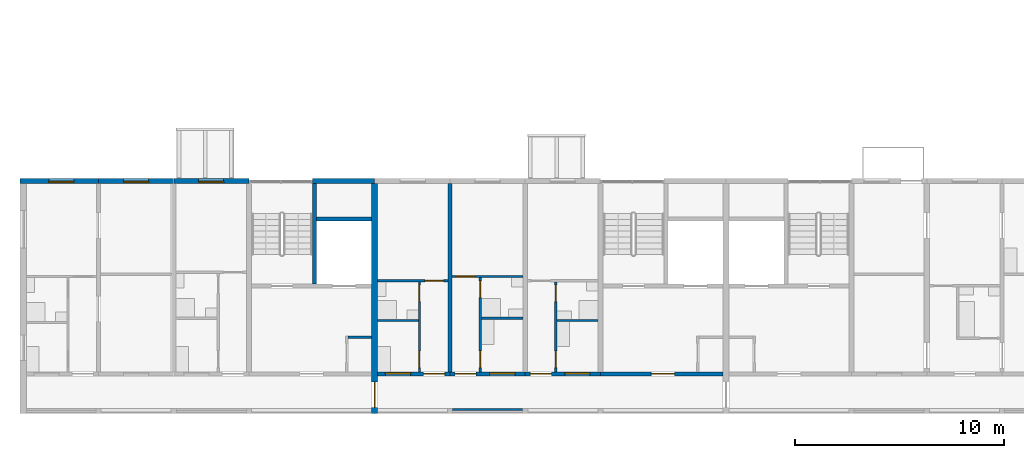
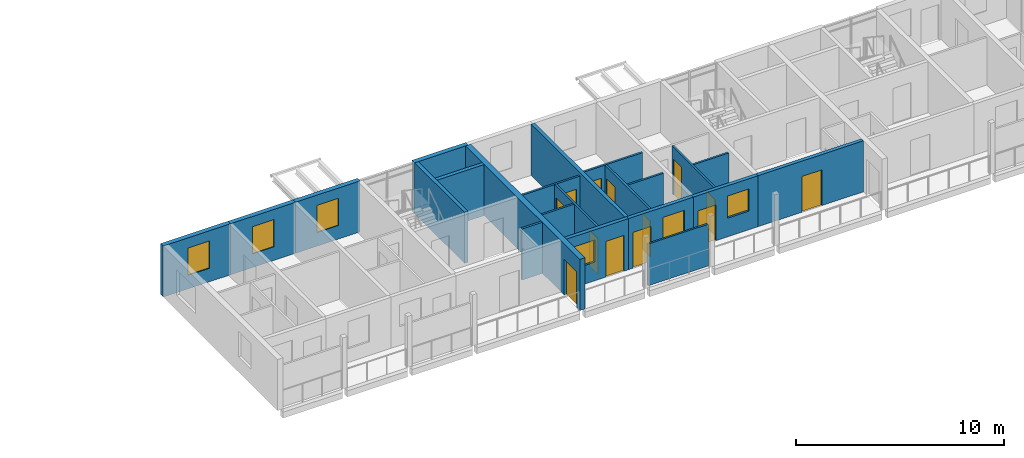
# One storey, part 30 of 93: 22 walls, 13 doors, 6 windows, 19 openings.
"""IFC4 building model written with IfcOpenShell, lengths in metres."""

from ifc_helpers import new_model, si_unit, direction, frame, frame_2d, origin, place, context, subcontext, project, spatial, rectangle, extrude, material, layer, layer_set, type_object, element, fill, save


model = new_model("IFC4")

# Units and contexts
model_context = context("Model", 3, precision=1e-05, world=origin(), true_north=direction((0.0, 1.0)))
body_context = subcontext(model_context, "Body", "Model", "MODEL_VIEW")
ifc_project = project(units=[si_unit("LENGTHUNIT", "METRE"), si_unit("AREAUNIT", "SQUARE_METRE"), si_unit("VOLUMEUNIT", "CUBIC_METRE"), si_unit("PLANEANGLEUNIT", "RADIAN"), si_unit("MASSUNIT", "GRAM", prefix="KILO")], contexts=[model_context])

# Site, building, storey
site_placement = place(None, origin())
site = spatial("IfcSite", under=ifc_project, at=site_placement, CompositionType="ELEMENT")
building_placement = place(site_placement, origin())
building = spatial("IfcBuilding", under=site, at=building_placement, Name="Ridgestep Commons", CompositionType="ELEMENT")
storey_placement = place(building_placement, frame((0.0, 0.0, 18.0)))
storey = spatial("IfcBuildingStorey", under=building, at=storey_placement, Name="L06", CompositionType="ELEMENT", Elevation=18.0)

# Wall, opening, door
ifc_material_1 = material(Name="Concrete C30/37", Category="concrete")
ifc_layer_1 = layer(ifc_material_1, 0.199951171875)
ifc_layer_set_1 = layer_set([ifc_layer_1], Name="Core south wall 200")
wall_type_1 = type_object("IfcWallType", Name="Core south wall 200", PredefinedType="SHEAR", material=ifc_layer_set_1)
wall_1_placement = place(storey_placement, frame((39.60009765625, 13.64990234375, 0.0), z_axis=(0.0, 0.0, 1.0), x_axis=(1.0, 0.0, 0.0)))
wall_1 = element("IfcWall", 1, at=wall_1_placement, inside=storey, type_object=wall_type_1, Name="Core south wall A2C L06", PredefinedType="SHEAR", context=body_context, shape_type="SweptSolid", body=[
    extrude(rectangle(XDim=5.849853515625, YDim=0.199951171875, at=frame_2d((2.9248046875, 0.0))), origin(), (0.0, 0.0, 1.0), 3.0),
])
opening_1_placement = place(wall_1_placement, frame((2.4375, 0.0, 0.0)))
opening_1 = element("IfcOpeningElement", 2, at=opening_1_placement, cuts=wall_1, Name="Opening A2C/06/1", PredefinedType="OPENING", context=body_context, shape_type="SweptSolid", body=[
    extrude(rectangle(XDim=1.10009765625, YDim=2.10009765625, at=frame_2d((0.550048828125, 1.050048828125))), frame((0.0, 0.10986328125, 0.0), z_axis=(0.0, -1.0, 0.0), x_axis=(1.0, 0.0, 0.0)), (0.0, 0.0, 1.0), 0.219970703125),
])
ifc_material_2 = material(Name="Steel fire door", Category="steel")
door_type_1 = type_object("IfcDoorType", Name="Lobby door 1100 x 2100 FD60", OperationType="NOTDEFINED", PredefinedType="DOOR", material=ifc_material_2)
door_1_placement = place(opening_1_placement, origin())
door_1 = element("IfcDoor", 3, at=door_1_placement, inside=storey, type_object=door_type_1, Name="Lobby door A2C/06/1", OperationType="SINGLE_SWING_LEFT", OverallHeight=2.10009765625, OverallWidth=1.10009765625, PredefinedType="DOOR", context=body_context, shape_type="SweptSolid", body=[
    extrude(rectangle(XDim=1.10009765625, YDim=2.10009765625, at=frame_2d((0.550048828125, 1.050048828125))), frame((0.0, 0.02490234375, 0.0), z_axis=(0.0, -1.0, 0.0), x_axis=(1.0, 0.0, 0.0)), (0.0, 0.0, 1.0), 0.050048828125),
])
fill(opening_1, door_1)

# Walls
ifc_material_3 = material(Name="Concrete C30/37", Category="concrete")
ifc_layer_2 = layer(ifc_material_3, 0.1201171875)
ifc_layer_set_2 = layer_set([ifc_layer_2], Name="Core wall 120")
wall_type_2 = type_object("IfcWallType", Name="Core wall 120", PredefinedType="SHEAR", material=ifc_layer_set_2)
wall_2_placement = place(storey_placement, frame((27.52001953125, 15.409912109375, 0.0), z_axis=(0.0, 0.0, 1.0), x_axis=(1.0, 0.0, 0.0)))
element("IfcWall", 4, at=wall_2_placement, inside=storey, type_object=wall_type_2, Name="Core riser n wall A1C L06", PredefinedType="SHEAR", context=body_context, shape_type="SweptSolid", body=[
    extrude(rectangle(XDim=1.1298828125, YDim=0.1201171875, at=frame_2d((0.56494140625, 0.0))), origin(), (0.0, 0.0, 1.0), 3.0),
])
ifc_material_4 = material(Name="Concrete C30/37", Category="concrete")
ifc_layer_3 = layer(ifc_material_4, 0.199951171875)
ifc_layer_set_3 = layer_set([ifc_layer_3], Name="Core wall 200")
wall_type_3 = type_object("IfcWallType", Name="Core wall 200", PredefinedType="SHEAR", material=ifc_layer_set_3)
wall_3_placement = place(storey_placement, frame((25.925048828125, 17.949951171875, 0.0), z_axis=(0.0, 0.0, 1.0), x_axis=(0.0, 1.0, 0.0)))
element("IfcWall", 5, at=wall_3_placement, inside=storey, type_object=wall_type_3, Name="Core stair wall A1C L06", PredefinedType="SHEAR", context=body_context, shape_type="SweptSolid", body=[
    extrude(rectangle(XDim=4.800048828125, YDim=0.199951171875, at=frame_2d((2.39990234375, 0.0))), origin(), (0.0, 0.0, 1.0), 3.0),
])
wall_4_placement = place(storey_placement, frame((26.02490234375, 21.050048828125, 0.0), z_axis=(0.0, 0.0, 1.0), x_axis=(1.0, 0.0, 0.0)))
element("IfcWall", 6, at=wall_4_placement, inside=storey, type_object=wall_type_3, Name="Core duct wall A1C L06", PredefinedType="SHEAR", context=body_context, shape_type="SweptSolid", body=[
    extrude(rectangle(XDim=2.625, YDim=0.199951171875, at=frame_2d((1.3125, 0.0))), origin(), (0.0, 0.0, 1.0), 3.0),
])
ifc_material_5 = material(Name="Precast concrete C40/50", Category="concrete")
ifc_layer_4 = layer(ifc_material_5, 0.199951171875)
ifc_layer_set_4 = layer_set([ifc_layer_4], Name="Cross wall 200")
wall_type_4 = type_object("IfcWallType", Name="Cross wall 200", PredefinedType="SHEAR", material=ifc_layer_set_4)
wall_5_placement = place(storey_placement, frame((32.39990234375, 13.75, 0.0), z_axis=(0.0, 0.0, 1.0), x_axis=(0.0, 1.0, 0.0)))
element("IfcWall", 7, at=wall_5_placement, inside=storey, type_object=wall_type_4, Name="Cross wall A-06-0324", PredefinedType="SHEAR", context=body_context, shape_type="SweptSolid", body=[
    extrude(rectangle(XDim=9.0, YDim=0.199951171875, at=frame_2d((4.5, 0.0))), origin(), (0.0, 0.0, 1.0), 3.0),
])

# Wall, opening, door
ifc_material_6 = material(Name="Precast concrete C40/50", Category="concrete")
ifc_layer_5 = layer(ifc_material_6, 0.300048828125)
ifc_layer_set_5 = layer_set([ifc_layer_5], Name="Division wall 300")
wall_type_5 = type_object("IfcWallType", Name="Division wall 300", PredefinedType="SHEAR", material=ifc_layer_set_5)
wall_6_placement = place(storey_placement, frame((28.800048828125, 11.75, 0.0), z_axis=(0.0, 0.0, 1.0), x_axis=(0.0, 1.0, 0.0)))
wall_6 = element("IfcWall", 8, at=wall_6_placement, inside=storey, type_object=wall_type_5, Name="Cross wall A-06-0288", PredefinedType="SHEAR", context=body_context, shape_type="SweptSolid", body=[
    extrude(rectangle(XDim=11.0, YDim=0.300048828125, at=frame_2d((5.5, 0.0))), origin(), (0.0, 0.0, 1.0), 3.0),
])
opening_2_placement = place(wall_6_placement, frame((0.300048828125, 0.0, 0.0)))
opening_2 = element("IfcOpeningElement", 9, at=opening_2_placement, cuts=wall_6, Name="Opening A/06/G0288", PredefinedType="OPENING", context=body_context, shape_type="SweptSolid", body=[
    extrude(rectangle(XDim=1.199951171875, YDim=2.10009765625, at=frame_2d((0.60009765625, 1.050048828125))), frame((0.0, 0.159912109375, 0.0), z_axis=(0.0, -1.0, 0.0), x_axis=(1.0, 0.0, 0.0)), (0.0, 0.0, 1.0), 0.320068359375),
])
ifc_material_7 = material(Name="Steel fire door", Category="steel")
door_type_2 = type_object("IfcDoorType", Name="Division fire door 1200 x 2100 EI 240", OperationType="DOUBLE_DOOR_SINGLE_SWING", PredefinedType="DOOR", material=ifc_material_7)
door_2_placement = place(opening_2_placement, origin())
door_2 = element("IfcDoor", 10, at=door_2_placement, inside=storey, type_object=door_type_2, Name="Division fire door A/06/G0288", OperationType="DOUBLE_DOOR_SINGLE_SWING", OverallHeight=2.10009765625, OverallWidth=1.199951171875, PredefinedType="DOOR", context=body_context, shape_type="SweptSolid", body=[
    extrude(rectangle(XDim=1.199951171875, YDim=2.10009765625, at=frame_2d((0.60009765625, 1.050048828125))), frame((0.0, 0.02490234375, 0.0), z_axis=(0.0, -1.0, 0.0), x_axis=(1.0, 0.0, 0.0)), (0.0, 0.0, 1.0), 0.050048828125),
])
fill(opening_2, door_2)

# Wall, opening, window
ifc_material_8 = material(Name="Precast concrete C40/50", Category="concrete")
ifc_layer_6 = layer(ifc_material_8, 0.25)
ifc_layer_set_6 = layer_set([ifc_layer_6], Name="North facade panel 250")
wall_type_6 = type_object("IfcWallType", Name="North facade panel 250", PredefinedType="SOLIDWALL", material=ifc_layer_set_6)
wall_7_placement = place(storey_placement, frame((11.85009765625, 22.875, 0.0), z_axis=(0.0, 0.0, 1.0), x_axis=(1.0, 0.0, 0.0)))
wall_7 = element("IfcWall", 11, at=wall_7_placement, inside=storey, type_object=wall_type_6, Name="North panel A1T1 L06", PredefinedType="SOLIDWALL", context=body_context, shape_type="SweptSolid", body=[
    extrude(rectangle(XDim=3.75, YDim=0.25, at=frame_2d((1.875, 0.0))), origin(), (0.0, 0.0, 1.0), 3.0),
])
opening_3_placement = place(wall_7_placement, frame((1.375, 0.0, 0.800048828125)))
opening_3 = element("IfcOpeningElement", 12, at=opening_3_placement, cuts=wall_7, Name="Opening W11", PredefinedType="OPENING", context=body_context, shape_type="SweptSolid", body=[
    extrude(rectangle(XDim=1.199951171875, YDim=1.60009765625, at=frame_2d((0.60009765625, 0.800048828125))), frame((0.0, 0.135009765625, 0.0), z_axis=(0.0, -1.0, 0.0), x_axis=(1.0, 0.0, 0.0)), (0.0, 0.0, 1.0), 0.27001953125),
])
ifc_material_9 = material(Name="Aluminium 6063-T6 and glass", Category="aluminium")
window_type_1 = type_object("IfcWindowType", Name="Flat window 1200 x 1600", PartitioningType="SINGLE_PANEL", PredefinedType="WINDOW", material=ifc_material_9)
window_1_placement = place(opening_3_placement, origin())
window_1 = element("IfcWindow", 13, at=window_1_placement, inside=storey, type_object=window_type_1, Name="Window A1-06a 4", OverallHeight=1.60009765625, OverallWidth=1.199951171875, PartitioningType="SINGLE_PANEL", PredefinedType="WINDOW", context=body_context, shape_type="SweptSolid", body=[
    extrude(rectangle(XDim=1.199951171875, YDim=1.60009765625, at=frame_2d((0.60009765625, 0.800048828125))), frame((0.0, -0.02490234375, 0.0), z_axis=(0.0, -1.0, 0.0), x_axis=(1.0, 0.0, 0.0)), (0.0, 0.0, 1.0), 0.06005859375),
])
fill(opening_3, window_1)

wall_8_placement = place(storey_placement, frame((15.60009765625, 22.875, 0.0), z_axis=(0.0, 0.0, 1.0), x_axis=(1.0, 0.0, 0.0)))
wall_8 = element("IfcWall", 14, at=wall_8_placement, inside=storey, type_object=wall_type_6, Name="North panel A1T2 L06", PredefinedType="SOLIDWALL", context=body_context, shape_type="SweptSolid", body=[
    extrude(rectangle(XDim=3.599853515625, YDim=0.25, at=frame_2d((1.7998046875, 0.0))), origin(), (0.0, 0.0, 1.0), 3.0),
])
opening_4_placement = place(wall_8_placement, frame((1.199951171875, 0.0, 0.800048828125)))
opening_4 = element("IfcOpeningElement", 15, at=opening_4_placement, cuts=wall_8, Name="Opening W11", PredefinedType="OPENING", context=body_context, shape_type="SweptSolid", body=[
    extrude(rectangle(XDim=1.199951171875, YDim=1.60009765625, at=frame_2d((0.60009765625, 0.800048828125))), frame((0.0, 0.135009765625, 0.0), z_axis=(0.0, -1.0, 0.0), x_axis=(1.0, 0.0, 0.0)), (0.0, 0.0, 1.0), 0.27001953125),
])
window_2_placement = place(opening_4_placement, origin())
window_2 = element("IfcWindow", 16, at=window_2_placement, inside=storey, type_object=window_type_1, Name="Window A1-06a 2", OverallHeight=1.60009765625, OverallWidth=1.199951171875, PartitioningType="SINGLE_PANEL", PredefinedType="WINDOW", context=body_context, shape_type="SweptSolid", body=[
    extrude(rectangle(XDim=1.199951171875, YDim=1.60009765625, at=frame_2d((0.60009765625, 0.800048828125))), frame((0.0, -0.02490234375, 0.0), z_axis=(0.0, -1.0, 0.0), x_axis=(1.0, 0.0, 0.0)), (0.0, 0.0, 1.0), 0.06005859375),
])
fill(opening_4, window_2)

wall_9_placement = place(storey_placement, frame((19.199951171875, 22.875, 0.0), z_axis=(0.0, 0.0, 1.0), x_axis=(1.0, 0.0, 0.0)))
wall_9 = element("IfcWall", 17, at=wall_9_placement, inside=storey, type_object=wall_type_6, Name="North panel A1T3 L06", PredefinedType="SOLIDWALL", context=body_context, shape_type="SweptSolid", body=[
    extrude(rectangle(XDim=3.60009765625, YDim=0.25, at=frame_2d((1.800048828125, 0.0))), origin(), (0.0, 0.0, 1.0), 3.0),
])
opening_5_placement = place(wall_9_placement, frame((1.1875, 0.0, 0.800048828125)))
opening_5 = element("IfcOpeningElement", 18, at=opening_5_placement, cuts=wall_9, Name="Opening W11", PredefinedType="OPENING", context=body_context, shape_type="SweptSolid", body=[
    extrude(rectangle(XDim=1.199951171875, YDim=1.60009765625, at=frame_2d((0.60009765625, 0.800048828125))), frame((0.0, 0.135009765625, 0.0), z_axis=(0.0, -1.0, 0.0), x_axis=(1.0, 0.0, 0.0)), (0.0, 0.0, 1.0), 0.27001953125),
])
window_3_placement = place(opening_5_placement, origin())
window_3 = element("IfcWindow", 19, at=window_3_placement, inside=storey, type_object=window_type_1, Name="Window A1-06b 2", OverallHeight=1.60009765625, OverallWidth=1.199951171875, PartitioningType="SINGLE_PANEL", PredefinedType="WINDOW", context=body_context, shape_type="SweptSolid", body=[
    extrude(rectangle(XDim=1.199951171875, YDim=1.60009765625, at=frame_2d((0.60009765625, 0.800048828125))), frame((0.0, -0.02490234375, 0.0), z_axis=(0.0, -1.0, 0.0), x_axis=(1.0, 0.0, 0.0)), (0.0, 0.0, 1.0), 0.06005859375),
])
fill(opening_5, window_3)

# Walls
wall_10_placement = place(storey_placement, frame((25.824951171875, 22.875, 0.0), z_axis=(0.0, 0.0, 1.0), x_axis=(1.0, 0.0, 0.0)))
element("IfcWall", 20, at=wall_10_placement, inside=storey, type_object=wall_type_6, Name="North panel A1C L06", PredefinedType="SOLIDWALL", context=body_context, shape_type="SweptSolid", body=[
    extrude(rectangle(XDim=2.97509765625, YDim=0.25, at=frame_2d((1.487548828125, 0.0))), origin(), (0.0, 0.0, 1.0), 3.0),
])
ifc_material_10 = material(Name="Common brick 110 mm", Category="masonry")
ifc_layer_7 = layer(ifc_material_10, 0.110107421875)
ifc_layer_set_7 = layer_set([ifc_layer_7], Name="Partition 110")
wall_type_7 = type_object("IfcWallType", Name="Partition 110", PredefinedType="PARTITIONING", material=ifc_layer_set_7)
wall_11_placement = place(storey_placement, frame((28.949951171875, 16.205078125, 0.0), z_axis=(0.0, 0.0, 1.0), x_axis=(1.0, 0.0, 0.0)))
element("IfcWall", 21, at=wall_11_placement, inside=storey, type_object=wall_type_7, Name="Partition A2-06a", PredefinedType="PARTITIONING", context=body_context, shape_type="SweptSolid", body=[
    extrude(rectangle(XDim=1.93994140625, YDim=0.110107421875, at=frame_2d((0.969970703125, 0.0))), origin(), (0.0, 0.0, 1.0), 2.800048828125),
])

# Wall, openings, doors
wall_12_placement = place(storey_placement, frame((30.945068359375, 13.75, 0.0), z_axis=(0.0, 0.0, 1.0), x_axis=(0.0, 1.0, 0.0)))
wall_12 = element("IfcWall", 22, at=wall_12_placement, inside=storey, type_object=wall_type_7, Name="Partition A2-06a", PredefinedType="PARTITIONING", context=body_context, shape_type="SweptSolid", body=[
    extrude(rectangle(XDim=4.300048828125, YDim=0.110107421875, at=frame_2d((2.14990234375, 0.0))), origin(), (0.0, 0.0, 1.0), 2.800048828125),
])
opening_6_placement = place(wall_12_placement, frame((0.199951171875, 0.0, 0.0)))
opening_6 = element("IfcOpeningElement", 23, at=opening_6_placement, cuts=wall_12, Name="Opening A2-06a/2", PredefinedType="OPENING", context=body_context, shape_type="SweptSolid", body=[
    extrude(rectangle(XDim=0.800048828125, YDim=2.10009765625, at=frame_2d((0.39990234375, 1.050048828125))), frame((0.0, 0.06494140625, 0.0), z_axis=(0.0, -1.0, 0.0), x_axis=(1.0, 0.0, 0.0)), (0.0, 0.0, 1.0), 0.130126953125),
])
opening_7_placement = place(wall_12_placement, frame((3.35009765625, 0.0, 0.0)))
opening_7 = element("IfcOpeningElement", 24, at=opening_7_placement, cuts=wall_12, Name="Opening A2-06a/3", PredefinedType="OPENING", context=body_context, shape_type="SweptSolid", body=[
    extrude(rectangle(XDim=0.800048828125, YDim=2.10009765625, at=frame_2d((0.39990234375, 1.050048828125))), frame((0.0, 0.06494140625, 0.0), z_axis=(0.0, -1.0, 0.0), x_axis=(1.0, 0.0, 0.0)), (0.0, 0.0, 1.0), 0.130126953125),
])
ifc_material_11 = material(Name="Timber door leaf", Category="wood")
door_type_3 = type_object("IfcDoorType", Name="Internal door 800 x 2100", OperationType="NOTDEFINED", PredefinedType="DOOR", material=ifc_material_11)
door_3_placement = place(opening_6_placement, origin())
door_3 = element("IfcDoor", 25, at=door_3_placement, inside=storey, type_object=door_type_3, Name="Internal door A2-06a/2", OperationType="SINGLE_SWING_LEFT", OverallHeight=2.10009765625, OverallWidth=0.800048828125, PredefinedType="DOOR", context=body_context, shape_type="SweptSolid", body=[
    extrude(rectangle(XDim=0.800048828125, YDim=2.10009765625, at=frame_2d((0.39990234375, 1.050048828125))), frame((0.0, 0.02490234375, 0.0), z_axis=(0.0, -1.0, 0.0), x_axis=(1.0, 0.0, 0.0)), (0.0, 0.0, 1.0), 0.050048828125),
])
fill(opening_6, door_3)
door_4_placement = place(opening_7_placement, origin())
door_4 = element("IfcDoor", 26, at=door_4_placement, inside=storey, type_object=door_type_3, Name="Internal door A2-06a/3", OperationType="SINGLE_SWING_RIGHT", OverallHeight=2.10009765625, OverallWidth=0.800048828125, PredefinedType="DOOR", context=body_context, shape_type="SweptSolid", body=[
    extrude(rectangle(XDim=0.800048828125, YDim=2.10009765625, at=frame_2d((0.39990234375, 1.050048828125))), frame((0.0, 0.02490234375, 0.0), z_axis=(0.0, -1.0, 0.0), x_axis=(1.0, 0.0, 0.0)), (0.0, 0.0, 1.0), 0.050048828125),
])
fill(opening_7, door_4)

# Wall, opening, door
wall_13_placement = place(storey_placement, frame((28.949951171875, 18.10498046875, 0.0), z_axis=(0.0, 0.0, 1.0), x_axis=(1.0, 0.0, 0.0)))
wall_13 = element("IfcWall", 27, at=wall_13_placement, inside=storey, type_object=wall_type_7, Name="Partition A2-06a", PredefinedType="PARTITIONING", context=body_context, shape_type="SweptSolid", body=[
    extrude(rectangle(XDim=3.35009765625, YDim=0.110107421875, at=frame_2d((1.675048828125, 0.0))), origin(), (0.0, 0.0, 1.0), 2.800048828125),
])
opening_8_placement = place(wall_13_placement, frame((2.25, 0.0, 0.0)))
opening_8 = element("IfcOpeningElement", 28, at=opening_8_placement, cuts=wall_13, Name="Opening A2-06a/4", PredefinedType="OPENING", context=body_context, shape_type="SweptSolid", body=[
    extrude(rectangle(XDim=0.89990234375, YDim=2.10009765625, at=frame_2d((0.449951171875, 1.050048828125))), frame((0.0, 0.06494140625, 0.0), z_axis=(0.0, -1.0, 0.0), x_axis=(1.0, 0.0, 0.0)), (0.0, 0.0, 1.0), 0.130126953125),
])
ifc_material_12 = material(Name="Timber door leaf", Category="wood")
door_type_4 = type_object("IfcDoorType", Name="Internal door 900 x 2100", OperationType="NOTDEFINED", PredefinedType="DOOR", material=ifc_material_12)
door_5_placement = place(opening_8_placement, origin())
door_5 = element("IfcDoor", 29, at=door_5_placement, inside=storey, type_object=door_type_4, Name="Internal door A2-06a/4", OperationType="SINGLE_SWING_RIGHT", OverallHeight=2.10009765625, OverallWidth=0.89990234375, PredefinedType="DOOR", context=body_context, shape_type="SweptSolid", body=[
    extrude(rectangle(XDim=0.89990234375, YDim=2.10009765625, at=frame_2d((0.449951171875, 1.050048828125))), frame((0.0, 0.02490234375, 0.0), z_axis=(0.0, -1.0, 0.0), x_axis=(1.0, 0.0, 0.0)), (0.0, 0.0, 1.0), 0.050048828125),
])
fill(opening_8, door_5)

# Wall, openings, doors
wall_14_placement = place(storey_placement, frame((33.85498046875, 13.75, 0.0), z_axis=(0.0, 0.0, 1.0), x_axis=(0.0, 1.0, 0.0)))
wall_14 = element("IfcWall", 30, at=wall_14_placement, inside=storey, type_object=wall_type_7, Name="Partition A2-06b", PredefinedType="PARTITIONING", context=body_context, shape_type="SweptSolid", body=[
    extrude(rectangle(XDim=4.5, YDim=0.110107421875, at=frame_2d((2.25, 0.0))), origin(), (0.0, 0.0, 1.0), 2.800048828125),
])
opening_9_placement = place(wall_14_placement, frame((0.199951171875, 0.0, 0.0)))
opening_9 = element("IfcOpeningElement", 31, at=opening_9_placement, cuts=wall_14, Name="Opening A2-06b/2", PredefinedType="OPENING", context=body_context, shape_type="SweptSolid", body=[
    extrude(rectangle(XDim=0.800048828125, YDim=2.10009765625, at=frame_2d((0.39990234375, 1.050048828125))), frame((0.0, 0.06494140625, 0.0), z_axis=(0.0, -1.0, 0.0), x_axis=(1.0, 0.0, 0.0)), (0.0, 0.0, 1.0), 0.130126953125),
])
opening_10_placement = place(wall_14_placement, frame((3.550048828125, 0.0, 0.0)))
opening_10 = element("IfcOpeningElement", 32, at=opening_10_placement, cuts=wall_14, Name="Opening A2-06b/3", PredefinedType="OPENING", context=body_context, shape_type="SweptSolid", body=[
    extrude(rectangle(XDim=0.800048828125, YDim=2.10009765625, at=frame_2d((0.39990234375, 1.050048828125))), frame((0.0, 0.06494140625, 0.0), z_axis=(0.0, -1.0, 0.0), x_axis=(1.0, 0.0, 0.0)), (0.0, 0.0, 1.0), 0.130126953125),
])
door_6_placement = place(opening_9_placement, origin())
door_6 = element("IfcDoor", 33, at=door_6_placement, inside=storey, type_object=door_type_3, Name="Internal door A2-06b/2", OperationType="SINGLE_SWING_RIGHT", OverallHeight=2.10009765625, OverallWidth=0.800048828125, PredefinedType="DOOR", context=body_context, shape_type="SweptSolid", body=[
    extrude(rectangle(XDim=0.800048828125, YDim=2.10009765625, at=frame_2d((0.39990234375, 1.050048828125))), frame((0.0, 0.02490234375, 0.0), z_axis=(0.0, -1.0, 0.0), x_axis=(1.0, 0.0, 0.0)), (0.0, 0.0, 1.0), 0.050048828125),
])
fill(opening_9, door_6)
door_7_placement = place(opening_10_placement, origin())
door_7 = element("IfcDoor", 34, at=door_7_placement, inside=storey, type_object=door_type_3, Name="Internal door A2-06b/3", OperationType="SINGLE_SWING_LEFT", OverallHeight=2.10009765625, OverallWidth=0.800048828125, PredefinedType="DOOR", context=body_context, shape_type="SweptSolid", body=[
    extrude(rectangle(XDim=0.800048828125, YDim=2.10009765625, at=frame_2d((0.39990234375, 1.050048828125))), frame((0.0, 0.02490234375, 0.0), z_axis=(0.0, -1.0, 0.0), x_axis=(1.0, 0.0, 0.0)), (0.0, 0.0, 1.0), 0.050048828125),
])
fill(opening_10, door_7)

# Wall
wall_15_placement = place(storey_placement, frame((33.909912109375, 16.304931640625, 0.0), z_axis=(0.0, 0.0, 1.0), x_axis=(1.0, 0.0, 0.0)))
element("IfcWall", 35, at=wall_15_placement, inside=storey, type_object=wall_type_7, Name="Partition A2-06b", PredefinedType="PARTITIONING", context=body_context, shape_type="SweptSolid", body=[
    extrude(rectangle(XDim=1.989990234375, YDim=0.110107421875, at=frame_2d((0.9951171875, 0.0))), origin(), (0.0, 0.0, 1.0), 2.800048828125),
])

# Wall, opening, door
wall_16_placement = place(storey_placement, frame((32.5, 18.304931640625, 0.0), z_axis=(0.0, 0.0, 1.0), x_axis=(1.0, 0.0, 0.0)))
wall_16 = element("IfcWall", 36, at=wall_16_placement, inside=storey, type_object=wall_type_7, Name="Partition A2-06b", PredefinedType="PARTITIONING", context=body_context, shape_type="SweptSolid", body=[
    extrude(rectangle(XDim=3.39990234375, YDim=0.110107421875, at=frame_2d((1.699951171875, 0.0))), origin(), (0.0, 0.0, 1.0), 2.800048828125),
])
opening_11_placement = place(wall_16_placement, frame((0.199951171875, 0.0, 0.0)))
opening_11 = element("IfcOpeningElement", 37, at=opening_11_placement, cuts=wall_16, Name="Opening A2-06b/4", PredefinedType="OPENING", context=body_context, shape_type="SweptSolid", body=[
    extrude(rectangle(XDim=0.89990234375, YDim=2.10009765625, at=frame_2d((0.449951171875, 1.050048828125))), frame((0.0, 0.06494140625, 0.0), z_axis=(0.0, -1.0, 0.0), x_axis=(1.0, 0.0, 0.0)), (0.0, 0.0, 1.0), 0.130126953125),
])
door_8_placement = place(opening_11_placement, origin())
door_8 = element("IfcDoor", 38, at=door_8_placement, inside=storey, type_object=door_type_4, Name="Internal door A2-06b/4", OperationType="SINGLE_SWING_LEFT", OverallHeight=2.10009765625, OverallWidth=0.89990234375, PredefinedType="DOOR", context=body_context, shape_type="SweptSolid", body=[
    extrude(rectangle(XDim=0.89990234375, YDim=2.10009765625, at=frame_2d((0.449951171875, 1.050048828125))), frame((0.0, 0.02490234375, 0.0), z_axis=(0.0, -1.0, 0.0), x_axis=(1.0, 0.0, 0.0)), (0.0, 0.0, 1.0), 0.050048828125),
])
fill(opening_11, door_8)

# Wall, openings, doors
wall_17_placement = place(storey_placement, frame((37.455078125, 13.75, 0.0), z_axis=(0.0, 0.0, 1.0), x_axis=(0.0, 1.0, 0.0)))
wall_17 = element("IfcWall", 39, at=wall_17_placement, inside=storey, type_object=wall_type_7, Name="Partition A2-06c", PredefinedType="PARTITIONING", context=body_context, shape_type="SweptSolid", body=[
    extrude(rectangle(XDim=4.300048828125, YDim=0.110107421875, at=frame_2d((2.14990234375, 0.0))), origin(), (0.0, 0.0, 1.0), 2.800048828125),
])
opening_12_placement = place(wall_17_placement, frame((0.199951171875, 0.0, 0.0)))
opening_12 = element("IfcOpeningElement", 40, at=opening_12_placement, cuts=wall_17, Name="Opening A2-06c/2", PredefinedType="OPENING", context=body_context, shape_type="SweptSolid", body=[
    extrude(rectangle(XDim=0.800048828125, YDim=2.10009765625, at=frame_2d((0.39990234375, 1.050048828125))), frame((0.0, 0.06494140625, 0.0), z_axis=(0.0, -1.0, 0.0), x_axis=(1.0, 0.0, 0.0)), (0.0, 0.0, 1.0), 0.130126953125),
])
opening_13_placement = place(wall_17_placement, frame((3.35009765625, 0.0, 0.0)))
opening_13 = element("IfcOpeningElement", 41, at=opening_13_placement, cuts=wall_17, Name="Opening A2-06c/3", PredefinedType="OPENING", context=body_context, shape_type="SweptSolid", body=[
    extrude(rectangle(XDim=0.800048828125, YDim=2.10009765625, at=frame_2d((0.39990234375, 1.050048828125))), frame((0.0, 0.06494140625, 0.0), z_axis=(0.0, -1.0, 0.0), x_axis=(1.0, 0.0, 0.0)), (0.0, 0.0, 1.0), 0.130126953125),
])
door_9_placement = place(opening_12_placement, origin())
door_9 = element("IfcDoor", 42, at=door_9_placement, inside=storey, type_object=door_type_3, Name="Internal door A2-06c/2", OperationType="SINGLE_SWING_RIGHT", OverallHeight=2.10009765625, OverallWidth=0.800048828125, PredefinedType="DOOR", context=body_context, shape_type="SweptSolid", body=[
    extrude(rectangle(XDim=0.800048828125, YDim=2.10009765625, at=frame_2d((0.39990234375, 1.050048828125))), frame((0.0, 0.02490234375, 0.0), z_axis=(0.0, -1.0, 0.0), x_axis=(1.0, 0.0, 0.0)), (0.0, 0.0, 1.0), 0.050048828125),
])
fill(opening_12, door_9)
door_10_placement = place(opening_13_placement, origin())
door_10 = element("IfcDoor", 43, at=door_10_placement, inside=storey, type_object=door_type_3, Name="Internal door A2-06c/3", OperationType="SINGLE_SWING_LEFT", OverallHeight=2.10009765625, OverallWidth=0.800048828125, PredefinedType="DOOR", context=body_context, shape_type="SweptSolid", body=[
    extrude(rectangle(XDim=0.800048828125, YDim=2.10009765625, at=frame_2d((0.39990234375, 1.050048828125))), frame((0.0, 0.02490234375, 0.0), z_axis=(0.0, -1.0, 0.0), x_axis=(1.0, 0.0, 0.0)), (0.0, 0.0, 1.0), 0.050048828125),
])
fill(opening_13, door_10)

# Walls
wall_18_placement = place(storey_placement, frame((37.510009765625, 16.205078125, 0.0), z_axis=(0.0, 0.0, 1.0), x_axis=(1.0, 0.0, 0.0)))
element("IfcWall", 44, at=wall_18_placement, inside=storey, type_object=wall_type_7, Name="Partition A2-06c", PredefinedType="PARTITIONING", context=body_context, shape_type="SweptSolid", body=[
    extrude(rectangle(XDim=1.965087890625, YDim=0.110107421875, at=frame_2d((0.982421875, 0.0))), origin(), (0.0, 0.0, 1.0), 2.800048828125),
])
ifc_material_13 = material(Name="Precast concrete C30/37", Category="concrete")
ifc_layer_8 = layer(ifc_material_13, 0.10009765625)
ifc_layer_set_8 = layer_set([ifc_layer_8], Name="Perforated gallery screen 3350 x 2450 x 100")
wall_type_8 = type_object("IfcWallType", Name="Perforated gallery screen 3350 x 2450 x 100", PredefinedType="SOLIDWALL", material=ifc_layer_set_8)
wall_19_placement = place(storey_placement, frame((32.52490234375, 11.949951171875, 0.0), z_axis=(0.0, 0.0, 1.0), x_axis=(1.0, 0.0, 0.0)))
element("IfcWall", 45, at=wall_19_placement, inside=storey, type_object=wall_type_8, Name="Gallery screen A2T2 06", PredefinedType="SOLIDWALL", context=body_context, shape_type="SweptSolid", body=[
    extrude(rectangle(XDim=3.35009765625, YDim=0.10009765625, at=frame_2d((1.675048828125, 0.0))), origin(), (0.0, 0.0, 1.0), 2.449951171875),
])

# Wall, openings, door, window
ifc_material_14 = material(Name="Precast concrete C40/50", Category="concrete")
ifc_layer_9 = layer(ifc_material_14, 0.199951171875)
ifc_layer_set_9 = layer_set([ifc_layer_9], Name="South facade panel 200")
wall_type_9 = type_object("IfcWallType", Name="South facade panel 200", PredefinedType="SOLIDWALL", material=ifc_layer_set_9)
wall_20_placement = place(storey_placement, frame((28.949951171875, 13.64990234375, 0.0), z_axis=(0.0, 0.0, 1.0), x_axis=(1.0, 0.0, 0.0)))
wall_20 = element("IfcWall", 46, at=wall_20_placement, inside=storey, type_object=wall_type_9, Name="South panel A2T1 L06", PredefinedType="SOLIDWALL", context=body_context, shape_type="SweptSolid", body=[
    extrude(rectangle(XDim=3.449951171875, YDim=0.199951171875, at=frame_2d((1.72509765625, 0.0))), origin(), (0.0, 0.0, 1.0), 3.0),
])
opening_14_placement = place(wall_20_placement, frame((0.3701171875, 0.0, 1.10009765625)))
opening_14 = element("IfcOpeningElement", 47, at=opening_14_placement, cuts=wall_20, Name="Opening W08", PredefinedType="OPENING", context=body_context, shape_type="SweptSolid", body=[
    extrude(rectangle(XDim=1.199951171875, YDim=1.300048828125, at=frame_2d((0.60009765625, 0.64990234375))), frame((0.0, 0.10986328125, 0.0), z_axis=(0.0, -1.0, 0.0), x_axis=(1.0, 0.0, 0.0)), (0.0, 0.0, 1.0), 0.219970703125),
])
opening_15_placement = place(wall_20_placement, frame((2.199951171875, 0.0, 0.0)))
opening_15 = element("IfcOpeningElement", 48, at=opening_15_placement, cuts=wall_20, Name="Opening A2-06a/1", PredefinedType="OPENING", context=body_context, shape_type="SweptSolid", body=[
    extrude(rectangle(XDim=1.0, YDim=2.10009765625, at=frame_2d((0.5, 1.050048828125))), frame((0.0, 0.10986328125, 0.0), z_axis=(0.0, -1.0, 0.0), x_axis=(1.0, 0.0, 0.0)), (0.0, 0.0, 1.0), 0.219970703125),
])
ifc_material_15 = material(Name="Timber door leaf", Category="wood")
door_type_5 = type_object("IfcDoorType", Name="Flat entrance door 1000 x 2100 FD30S", OperationType="NOTDEFINED", PredefinedType="DOOR", material=ifc_material_15)
door_11_placement = place(opening_15_placement, origin())
door_11 = element("IfcDoor", 49, at=door_11_placement, inside=storey, type_object=door_type_5, Name="Flat entrance door A2-06a/1", OperationType="SINGLE_SWING_RIGHT", OverallHeight=2.10009765625, OverallWidth=1.0, PredefinedType="DOOR", context=body_context, shape_type="SweptSolid", body=[
    extrude(rectangle(XDim=1.0, YDim=2.10009765625, at=frame_2d((0.5, 1.050048828125))), frame((0.0, 0.02490234375, 0.0), z_axis=(0.0, -1.0, 0.0), x_axis=(1.0, 0.0, 0.0)), (0.0, 0.0, 1.0), 0.050048828125),
])
fill(opening_15, door_11)
ifc_material_16 = material(Name="Aluminium 6063-T6 and glass", Category="aluminium")
window_type_2 = type_object("IfcWindowType", Name="Flat window 1200 x 1300", PartitioningType="SINGLE_PANEL", PredefinedType="WINDOW", material=ifc_material_16)
window_4_placement = place(opening_14_placement, origin())
window_4 = element("IfcWindow", 50, at=window_4_placement, inside=storey, type_object=window_type_2, Name="Window A2-06a 1", OverallHeight=1.300048828125, OverallWidth=1.199951171875, PartitioningType="SINGLE_PANEL", PredefinedType="WINDOW", context=body_context, shape_type="SweptSolid", body=[
    extrude(rectangle(XDim=1.199951171875, YDim=1.300048828125, at=frame_2d((0.60009765625, 0.64990234375))), frame((0.0, 0.06005859375, 0.0), z_axis=(0.0, -1.0, 0.0), x_axis=(1.0, 0.0, 0.0)), (0.0, 0.0, 1.0), 0.06005859375),
])
fill(opening_14, window_4)

wall_21_placement = place(storey_placement, frame((32.39990234375, 13.64990234375, 0.0), z_axis=(0.0, 0.0, 1.0), x_axis=(1.0, 0.0, 0.0)))
wall_21 = element("IfcWall", 51, at=wall_21_placement, inside=storey, type_object=wall_type_9, Name="South panel A2T2 L06", PredefinedType="SOLIDWALL", context=body_context, shape_type="SweptSolid", body=[
    extrude(rectangle(XDim=3.60009765625, YDim=0.199951171875, at=frame_2d((1.800048828125, 0.0))), origin(), (0.0, 0.0, 1.0), 3.0),
])
opening_16_placement = place(wall_21_placement, frame((1.905029296875, 0.0, 1.10009765625)))
opening_16 = element("IfcOpeningElement", 52, at=opening_16_placement, cuts=wall_21, Name="Opening W08", PredefinedType="OPENING", context=body_context, shape_type="SweptSolid", body=[
    extrude(rectangle(XDim=1.199951171875, YDim=1.300048828125, at=frame_2d((0.60009765625, 0.64990234375))), frame((0.0, 0.10986328125, 0.0), z_axis=(0.0, -1.0, 0.0), x_axis=(1.0, 0.0, 0.0)), (0.0, 0.0, 1.0), 0.219970703125),
])
opening_17_placement = place(wall_21_placement, frame((0.25, 0.0, 0.0)))
opening_17 = element("IfcOpeningElement", 53, at=opening_17_placement, cuts=wall_21, Name="Opening A2-06b/1", PredefinedType="OPENING", context=body_context, shape_type="SweptSolid", body=[
    extrude(rectangle(XDim=1.0, YDim=2.10009765625, at=frame_2d((0.5, 1.050048828125))), frame((0.0, 0.10986328125, 0.0), z_axis=(0.0, -1.0, 0.0), x_axis=(1.0, 0.0, 0.0)), (0.0, 0.0, 1.0), 0.219970703125),
])
door_12_placement = place(opening_17_placement, origin())
door_12 = element("IfcDoor", 54, at=door_12_placement, inside=storey, type_object=door_type_5, Name="Flat entrance door A2-06b/1", OperationType="SINGLE_SWING_LEFT", OverallHeight=2.10009765625, OverallWidth=1.0, PredefinedType="DOOR", context=body_context, shape_type="SweptSolid", body=[
    extrude(rectangle(XDim=1.0, YDim=2.10009765625, at=frame_2d((0.5, 1.050048828125))), frame((0.0, 0.02490234375, 0.0), z_axis=(0.0, -1.0, 0.0), x_axis=(1.0, 0.0, 0.0)), (0.0, 0.0, 1.0), 0.050048828125),
])
fill(opening_17, door_12)
window_5_placement = place(opening_16_placement, origin())
window_5 = element("IfcWindow", 55, at=window_5_placement, inside=storey, type_object=window_type_2, Name="Window A2-06b 1", OverallHeight=1.300048828125, OverallWidth=1.199951171875, PartitioningType="SINGLE_PANEL", PredefinedType="WINDOW", context=body_context, shape_type="SweptSolid", body=[
    extrude(rectangle(XDim=1.199951171875, YDim=1.300048828125, at=frame_2d((0.60009765625, 0.64990234375))), frame((0.0, 0.06005859375, 0.0), z_axis=(0.0, -1.0, 0.0), x_axis=(1.0, 0.0, 0.0)), (0.0, 0.0, 1.0), 0.06005859375),
])
fill(opening_16, window_5)

wall_22_placement = place(storey_placement, frame((36.0, 13.64990234375, 0.0), z_axis=(0.0, 0.0, 1.0), x_axis=(1.0, 0.0, 0.0)))
wall_22 = element("IfcWall", 56, at=wall_22_placement, inside=storey, type_object=wall_type_9, Name="South panel A2T3 L06", PredefinedType="SOLIDWALL", context=body_context, shape_type="SweptSolid", body=[
    extrude(rectangle(XDim=3.60009765625, YDim=0.199951171875, at=frame_2d((1.800048828125, 0.0))), origin(), (0.0, 0.0, 1.0), 3.0),
])
opening_18_placement = place(wall_22_placement, frame((1.892578125, 0.0, 1.10009765625)))
opening_18 = element("IfcOpeningElement", 57, at=opening_18_placement, cuts=wall_22, Name="Opening W08", PredefinedType="OPENING", context=body_context, shape_type="SweptSolid", body=[
    extrude(rectangle(XDim=1.199951171875, YDim=1.300048828125, at=frame_2d((0.60009765625, 0.64990234375))), frame((0.0, 0.10986328125, 0.0), z_axis=(0.0, -1.0, 0.0), x_axis=(1.0, 0.0, 0.0)), (0.0, 0.0, 1.0), 0.219970703125),
])
opening_19_placement = place(wall_22_placement, frame((0.25, 0.0, 0.0)))
opening_19 = element("IfcOpeningElement", 58, at=opening_19_placement, cuts=wall_22, Name="Opening A2-06c/1", PredefinedType="OPENING", context=body_context, shape_type="SweptSolid", body=[
    extrude(rectangle(XDim=1.0, YDim=2.10009765625, at=frame_2d((0.5, 1.050048828125))), frame((0.0, 0.10986328125, 0.0), z_axis=(0.0, -1.0, 0.0), x_axis=(1.0, 0.0, 0.0)), (0.0, 0.0, 1.0), 0.219970703125),
])
door_13_placement = place(opening_19_placement, origin())
door_13 = element("IfcDoor", 59, at=door_13_placement, inside=storey, type_object=door_type_5, Name="Flat entrance door A2-06c/1", OperationType="SINGLE_SWING_LEFT", OverallHeight=2.10009765625, OverallWidth=1.0, PredefinedType="DOOR", context=body_context, shape_type="SweptSolid", body=[
    extrude(rectangle(XDim=1.0, YDim=2.10009765625, at=frame_2d((0.5, 1.050048828125))), frame((0.0, 0.02490234375, 0.0), z_axis=(0.0, -1.0, 0.0), x_axis=(1.0, 0.0, 0.0)), (0.0, 0.0, 1.0), 0.050048828125),
])
fill(opening_19, door_13)
window_6_placement = place(opening_18_placement, origin())
window_6 = element("IfcWindow", 60, at=window_6_placement, inside=storey, type_object=window_type_2, Name="Window A2-06c 1", OverallHeight=1.300048828125, OverallWidth=1.199951171875, PartitioningType="SINGLE_PANEL", PredefinedType="WINDOW", context=body_context, shape_type="SweptSolid", body=[
    extrude(rectangle(XDim=1.199951171875, YDim=1.300048828125, at=frame_2d((0.60009765625, 0.64990234375))), frame((0.0, 0.06005859375, 0.0), z_axis=(0.0, -1.0, 0.0), x_axis=(1.0, 0.0, 0.0)), (0.0, 0.0, 1.0), 0.06005859375),
])
fill(opening_18, window_6)

save(model, "model.ifc")
